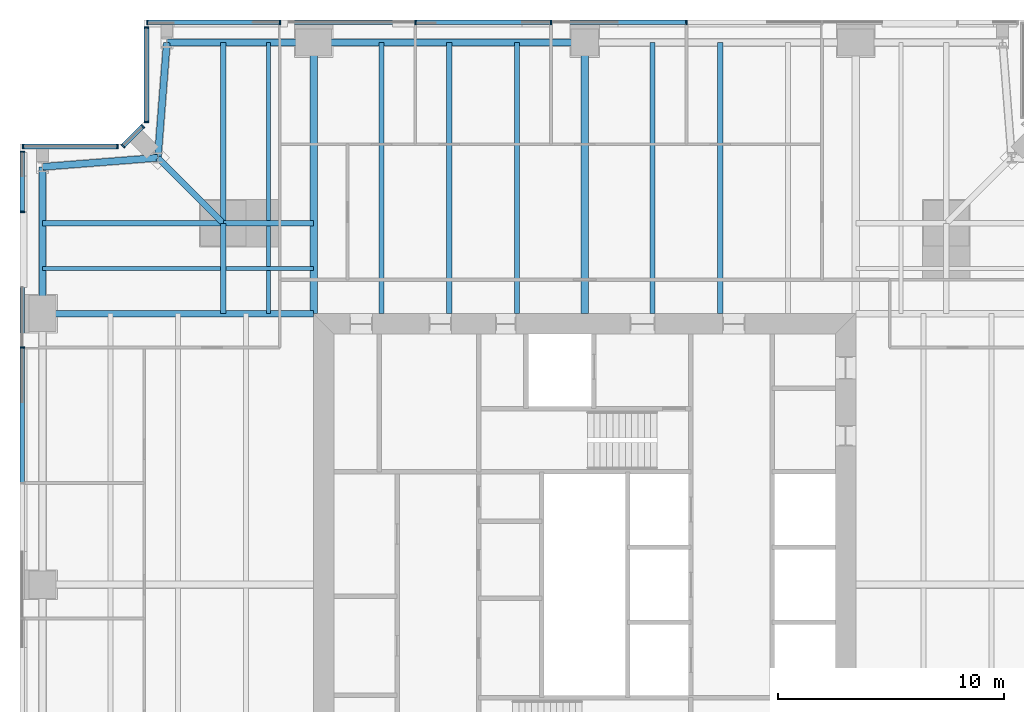
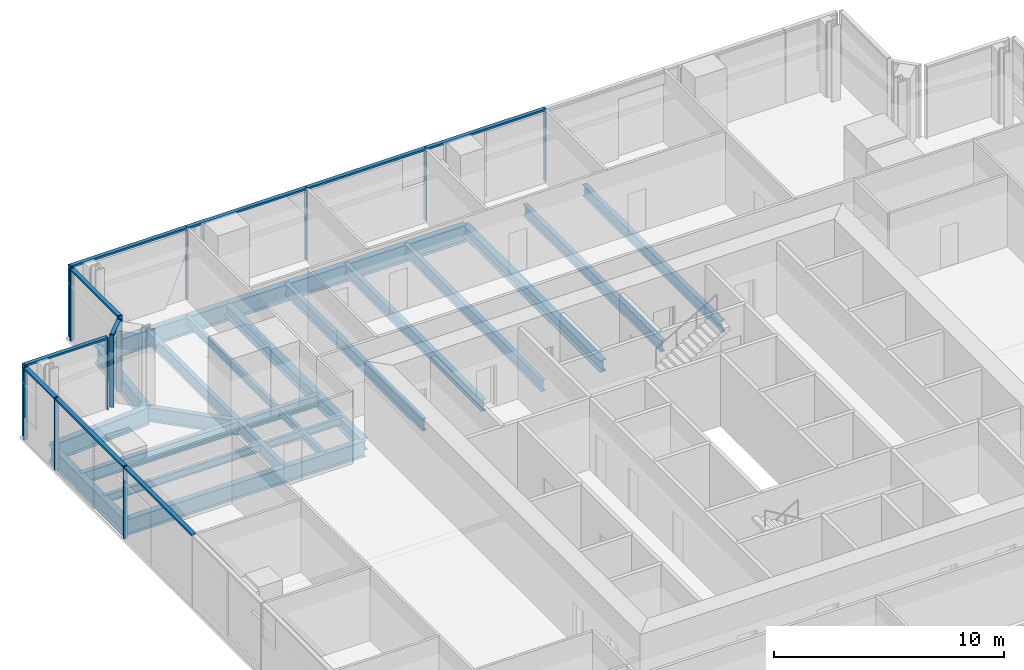
# One storey, part 6 of 14: 24 members, 23 beams, 5 elements without a shape of their own.
"""IFC4 building model written with IfcOpenShell, lengths in metres."""

from ifc_helpers import new_model, si_unit, direction, frame, origin, origin_2d, place, context, subcontext, project, spatial, rectangle, i_section, extrude, material, material_profile, profile_set, type_object, element, aggregate, save


model = new_model("IFC4")

# Units and contexts
model_context = context("Model", 3, precision=1e-05, world=origin(), true_north=direction((0.0, 1.0)))
body_context = subcontext(model_context, "Body", "Model", "MODEL_VIEW")
ifc_project = project(units=[si_unit("LENGTHUNIT", "METRE"), si_unit("AREAUNIT", "SQUARE_METRE"), si_unit("VOLUMEUNIT", "CUBIC_METRE"), si_unit("PLANEANGLEUNIT", "RADIAN"), si_unit("MASSUNIT", "GRAM", prefix="KILO")], contexts=[model_context])

# Site, building, storey
site_placement = place(None, origin())
site = spatial("IfcSite", under=ifc_project, at=site_placement, CompositionType="ELEMENT")
building_placement = place(site_placement, origin())
building = spatial("IfcBuilding", under=site, at=building_placement, Name="Fenwick Lantern Interchange", CompositionType="ELEMENT")
storey_placement = place(building_placement, frame((0.0, 0.0, 189.800048828125)))
storey = spatial("IfcBuildingStorey", under=building, at=storey_placement, Name="L44", CompositionType="ELEMENT", Elevation=189.800048828125)

# Beams
ifc_material_1 = material(Name="Steel ASTM A992 Grade 50", Category="steel")
ifc_material_profile_1 = material_profile(ifc_material_1, i_section(OverallWidth=0.3046875, OverallDepth=0.911865234375, WebThickness=0.015869140625, FlangeThickness=0.02392578125, at=origin_2d()), Name="W36X150")
ifc_profile_set_1 = profile_set([ifc_material_profile_1], Name="Steel ASTM A992 Grade 50")
beam_type_1 = type_object("IfcBeamType", Name="EDGE BEAM W36X150", PredefinedType="SPANDREL", material=ifc_profile_set_1)
beam_1_placement = place(storey_placement, frame((25.0, 49.0, -0.60595703125), z_axis=(-1.0, 0.0, 0.0), x_axis=(0.0, -1.0, 0.0)))
element("IfcBeam", 1, at=beam_1_placement, inside=storey, type_object=beam_type_1, Name="L44/FR/N/EB3", PredefinedType="SPANDREL", context=body_context, shape_type="SweptSolid", body=[
    extrude(i_section(OverallWidth=0.3046875, OverallDepth=0.911865234375, WebThickness=0.015869140625, FlangeThickness=0.02392578125, at=origin_2d()), origin(), (0.0, 0.0, 1.0), 12.0),
])
beam_2_placement = place(storey_placement, frame((13.0, 49.0, -0.60595703125), z_axis=(-1.0, 0.0, 0.0), x_axis=(0.0, -1.0, 0.0)))
element("IfcBeam", 2, at=beam_2_placement, inside=storey, type_object=beam_type_1, Name="L44/FR/N/EB4", PredefinedType="SPANDREL", context=body_context, shape_type="SweptSolid", body=[
    extrude(i_section(OverallWidth=0.3046875, OverallDepth=0.911865234375, WebThickness=0.015869140625, FlangeThickness=0.02392578125, at=origin_2d()), origin(), (0.0, 0.0, 1.0), 6.5),
])
for number, where, z_axis, x_axis, name in (
    (3, (6.5, 49.0, -0.60595703125), (-0.078170784639, -0.99693998236, 0.0), (0.99693998236, -0.078170784639, 0.0), "L44/FR/N/EBR1"),
    (4, (6.10009765625, 43.89990234375, -0.60595703125), (-0.99693998236, -0.078170784639, 0.0), (0.078170784639, -0.99693998236, 0.0), "L44/FR/N/EBR2"),
):
    element("IfcBeam", number, at=place(storey_placement, frame(where, z_axis=z_axis, x_axis=x_axis)), inside=storey, type_object=beam_type_1, Name=name, PredefinedType="SPANDREL", context=body_context, shape_type="SweptSolid", body=[
        extrude(i_section(OverallWidth=0.3046875, OverallDepth=0.911865234375, WebThickness=0.015869140625, FlangeThickness=0.02392578125, at=origin_2d()), origin(), (0.0, 0.0, 1.0), 5.11572265625),
    ])
beam_3_placement = place(storey_placement, frame((1.0, 43.5, -0.60595703125), z_axis=(0.0, -1.0, 0.0), x_axis=(1.0, 0.0, 0.0)))
element("IfcBeam", 5, at=beam_3_placement, inside=storey, type_object=beam_type_1, Name="L44/FR/W/EB1", PredefinedType="SPANDREL", context=body_context, shape_type="SweptSolid", body=[
    extrude(i_section(OverallWidth=0.3046875, OverallDepth=0.911865234375, WebThickness=0.015869140625, FlangeThickness=0.02392578125, at=origin_2d()), origin(), (0.0, 0.0, 1.0), 6.5),
])
ifc_material_profile_2 = material_profile(ifc_material_1, i_section(OverallWidth=0.22900390625, OverallDepth=0.612060546875, WebThickness=0.011962890625, FlangeThickness=0.01953125, at=origin_2d()), Name="W24X84")
ifc_profile_set_2 = profile_set([ifc_material_profile_2], Name="Steel ASTM A992 Grade 50")
beam_type_2 = type_object("IfcBeamType", Name="FLOOR BEAM W24X84", PredefinedType="BEAM", material=ifc_profile_set_2)
for number, where, z_axis, x_axis, name in (
    (6, (31.0, 49.0, -0.4560546875), (0.0, -1.0, 0.0), (1.0, 0.0, 0.0), "L44/FR/N/R03"),
    (7, (28.0, 49.0, -0.4560546875), (0.0, -1.0, 0.0), (1.0, 0.0, 0.0), "L44/FR/N/R04"),
    (8, (22.0, 49.0, -0.4560546875), (0.0, -1.0, 0.0), (1.0, 0.0, 0.0), "L44/FR/N/R06"),
    (9, (19.0, 49.0, -0.4560546875), (0.0, -1.0, 0.0), (1.0, 0.0, 0.0), "L44/FR/N/R07"),
    (10, (16.0, 49.0, -0.4560546875), (0.0, -1.0, 0.0), (1.0, 0.0, 0.0), "L44/FR/N/R08"),
):
    element("IfcBeam", number, at=place(storey_placement, frame(where, z_axis=z_axis, x_axis=x_axis)), inside=storey, type_object=beam_type_2, Name=name, PredefinedType="BEAM", context=body_context, shape_type="SweptSolid", body=[
        extrude(i_section(OverallWidth=0.22900390625, OverallDepth=0.612060546875, WebThickness=0.011962890625, FlangeThickness=0.01953125, at=origin_2d()), origin(), (0.0, 0.0, 1.0), 12.0),
    ])
ifc_material_profile_3 = material_profile(ifc_material_1, i_section(OverallWidth=0.177734375, OverallDepth=0.406494140625, WebThickness=0.0078125, FlangeThickness=0.012939453125, at=origin_2d()), Name="W16X40")
ifc_profile_set_3 = profile_set([ifc_material_profile_3], Name="Steel ASTM A992 Grade 50")
beam_type_3 = type_object("IfcBeamType", Name="INFILL BEAM W16X40", PredefinedType="JOIST", material=ifc_profile_set_3)
beam_4_placement = place(storey_placement, frame((1.0, 39.0, -0.353271484375), z_axis=(1.0, 0.0, 0.0), x_axis=(0.0, 1.0, 0.0)))
element("IfcBeam", 11, at=beam_4_placement, inside=storey, type_object=beam_type_3, Name="L44/FR/W/J1", PredefinedType="JOIST", context=body_context, shape_type="SweptSolid", body=[
    extrude(i_section(OverallWidth=0.177734375, OverallDepth=0.406494140625, WebThickness=0.0078125, FlangeThickness=0.012939453125, at=origin_2d()), origin(), (0.0, 0.0, 1.0), 7.885498046875),
])
beam_5_placement = place(storey_placement, frame((9.114501953125, 39.0, -0.353271484375), z_axis=(1.0, 0.0, 0.0), x_axis=(0.0, 1.0, 0.0)))
element("IfcBeam", 12, at=beam_5_placement, inside=storey, type_object=beam_type_3, Name="L44/FR/W/J2", PredefinedType="JOIST", context=body_context, shape_type="SweptSolid", body=[
    extrude(i_section(OverallWidth=0.177734375, OverallDepth=0.406494140625, WebThickness=0.0078125, FlangeThickness=0.012939453125, at=origin_2d()), origin(), (0.0, 0.0, 1.0), 3.885498046875),
])
beam_6_placement = place(storey_placement, frame((11.0, 49.0, -0.353271484375), z_axis=(0.0, -1.0, 0.0), x_axis=(1.0, 0.0, 0.0)))
element("IfcBeam", 13, at=beam_6_placement, inside=storey, type_object=beam_type_3, Name="L44/FR/W/J3", PredefinedType="JOIST", context=body_context, shape_type="SweptSolid", body=[
    extrude(i_section(OverallWidth=0.177734375, OverallDepth=0.406494140625, WebThickness=0.0078125, FlangeThickness=0.012939453125, at=origin_2d()), origin(), (0.0, 0.0, 1.0), 7.885498046875),
])
beam_7_placement = place(storey_placement, frame((11.0, 40.885498046875, -0.353271484375), z_axis=(0.0, -1.0, 0.0), x_axis=(1.0, 0.0, 0.0)))
element("IfcBeam", 14, at=beam_7_placement, inside=storey, type_object=beam_type_3, Name="L44/FR/W/J4", PredefinedType="JOIST", context=body_context, shape_type="SweptSolid", body=[
    extrude(i_section(OverallWidth=0.177734375, OverallDepth=0.406494140625, WebThickness=0.0078125, FlangeThickness=0.012939453125, at=origin_2d()), origin(), (0.0, 0.0, 1.0), 1.796630859375),
])
beam_8_placement = place(storey_placement, frame((11.0, 38.9111328125, -0.353271484375), z_axis=(0.0, -1.0, 0.0), x_axis=(1.0, 0.0, 0.0)))
element("IfcBeam", 15, at=beam_8_placement, inside=storey, type_object=beam_type_3, Name="L44/FR/W/J5", PredefinedType="JOIST", context=body_context, shape_type="SweptSolid", body=[
    extrude(i_section(OverallWidth=0.177734375, OverallDepth=0.406494140625, WebThickness=0.0078125, FlangeThickness=0.012939453125, at=origin_2d()), origin(), (0.0, 0.0, 1.0), 1.9111328125),
])
ifc_material_profile_4 = material_profile(ifc_material_1, i_section(OverallWidth=0.22900390625, OverallDepth=0.612060546875, WebThickness=0.011962890625, FlangeThickness=0.01953125, at=origin_2d()), Name="W24X84")
ifc_profile_set_4 = profile_set([ifc_material_profile_4], Name="Steel ASTM A992 Grade 50")
beam_type_4 = type_object("IfcBeamType", Name="MEGA COLUMN BEAM W24X84", PredefinedType="BEAM", material=ifc_profile_set_4)
for number, where, z_axis, x_axis, name in (
    (16, (9.0, 41.0, -0.4560546875), (-1.0, 0.0, 0.0), (0.0, -1.0, 0.0), "L44/FR/W/MB1"),
    (17, (9.0, 41.0, -0.4560546875), (0.0, 1.0, 0.0), (-1.0, 0.0, 0.0), "L44/FR/W/MB2"),
):
    element("IfcBeam", number, at=place(storey_placement, frame(where, z_axis=z_axis, x_axis=x_axis)), inside=storey, type_object=beam_type_4, Name=name, PredefinedType="BEAM", context=body_context, shape_type="SweptSolid", body=[
        extrude(i_section(OverallWidth=0.22900390625, OverallDepth=0.612060546875, WebThickness=0.011962890625, FlangeThickness=0.01953125, at=origin_2d()), origin(), (0.0, 0.0, 1.0), 8.0),
    ])
for number, where, z_axis, x_axis, name in (
    (18, (9.0, 41.0, -0.4560546875), (0.0, -1.0, 0.0), (1.0, 0.0, 0.0), "L44/FR/W/MB3"),
    (19, (9.0, 41.0, -0.4560546875), (1.0, 0.0, 0.0), (0.0, 1.0, 0.0), "L44/FR/W/MB4"),
):
    element("IfcBeam", number, at=place(storey_placement, frame(where, z_axis=z_axis, x_axis=x_axis)), inside=storey, type_object=beam_type_4, Name=name, PredefinedType="BEAM", context=body_context, shape_type="SweptSolid", body=[
        extrude(i_section(OverallWidth=0.22900390625, OverallDepth=0.612060546875, WebThickness=0.011962890625, FlangeThickness=0.01953125, at=origin_2d()), origin(), (0.0, 0.0, 1.0), 4.0),
    ])
ifc_material_profile_5 = material_profile(ifc_material_1, i_section(OverallWidth=0.32763671875, OverallDepth=0.622314453125, WebThickness=0.015380859375, FlangeThickness=0.0244140625, at=origin_2d()), Name="W24X131")
ifc_profile_set_5 = profile_set([ifc_material_profile_5], Name="Steel ASTM A992 Grade 50")
beam_type_5 = type_object("IfcBeamType", Name="MOMENT-CONNECTED GIRDER W24X131", PredefinedType="BEAM", material=ifc_profile_set_5)
for number, where, z_axis, x_axis, name in (
    (20, (25.0, 49.0, -0.461181640625), (0.0, -1.0, 0.0), (1.0, 0.0, 0.0), "L44/FR/N/R05"),
    (21, (13.0, 49.0, -0.461181640625), (0.0, -1.0, 0.0), (1.0, 0.0, 0.0), "L44/FR/N/R09"),
):
    element("IfcBeam", number, at=place(storey_placement, frame(where, z_axis=z_axis, x_axis=x_axis)), inside=storey, type_object=beam_type_5, Name=name, PredefinedType="BEAM", context=body_context, shape_type="SweptSolid", body=[
        extrude(i_section(OverallWidth=0.32763671875, OverallDepth=0.622314453125, WebThickness=0.015380859375, FlangeThickness=0.0244140625, at=origin_2d()), origin(), (0.0, 0.0, 1.0), 12.0),
    ])
ifc_material_profile_6 = material_profile(ifc_material_1, i_section(OverallWidth=0.2919921875, OverallDepth=0.845703125, WebThickness=0.015380859375, FlangeThickness=0.0244140625, at=origin_2d()), Name="W33X141")
ifc_profile_set_6 = profile_set([ifc_material_profile_6], Name="Steel ASTM A992 Grade 50")
beam_type_6 = type_object("IfcBeamType", Name="MOMENT-CONNECTED GIRDER W33X141", PredefinedType="BEAM", material=ifc_profile_set_6)
beam_9_placement = place(storey_placement, frame((1.0, 37.0, -0.572998046875), z_axis=(1.0, 0.0, 0.0), x_axis=(0.0, 1.0, 0.0)))
element("IfcBeam", 22, at=beam_9_placement, inside=storey, type_object=beam_type_6, Name="L44/FR/W/R01", PredefinedType="BEAM", context=body_context, shape_type="SweptSolid", body=[
    extrude(i_section(OverallWidth=0.2919921875, OverallDepth=0.845703125, WebThickness=0.015380859375, FlangeThickness=0.0244140625, at=origin_2d()), origin(), (0.0, 0.0, 1.0), 12.0),
])
ifc_material_profile_7 = material_profile(ifc_material_1, i_section(OverallWidth=0.2666015625, OverallDepth=0.7568359375, WebThickness=0.013916015625, FlangeThickness=0.019287109375, at=origin_2d()), Name="W30X108")
ifc_profile_set_7 = profile_set([ifc_material_profile_7], Name="Steel ASTM A992 Grade 50")
beam_type_7 = type_object("IfcBeamType", Name="NOTCH BEAM W30X108", PredefinedType="BEAM", material=ifc_profile_set_7)
beam_10_placement = place(storey_placement, frame((9.0, 41.0, -0.528564453125), z_axis=(-0.707106781187, 0.707106781187, 0.0), x_axis=(-0.707106781187, -0.707106781187, 0.0)))
element("IfcBeam", 23, at=beam_10_placement, inside=storey, type_object=beam_type_7, Name="L44/FR/W/TG", PredefinedType="BEAM", context=body_context, shape_type="SweptSolid", body=[
    extrude(i_section(OverallWidth=0.2666015625, OverallDepth=0.7568359375, WebThickness=0.013916015625, FlangeThickness=0.019287109375, at=origin_2d()), origin(), (0.0, 0.0, 1.0), 4.10107421875),
])

# Curtain wall, members
ifc_material_2 = material(Name="Aluminium curtain wall frame", Category="aluminium")
curtain_wall_type = type_object("IfcCurtainWallType", Name="OFFICE CURTAIN WALL", PredefinedType="USERDEFINED", material=ifc_material_2)
curtain_wall_1_placement = place(storey_placement, origin())
curtain_wall_1 = element("IfcCurtainWall", 24, at=curtain_wall_1_placement, inside=storey, type_object=curtain_wall_type, Name="Office curtain wall 09", ObjectType="OFFICE CURTAIN WALL", PredefinedType="USERDEFINED")
ifc_material_3 = material(Name="Aluminium extrusion", Category="aluminium")
ifc_material_profile_8 = material_profile(ifc_material_3, rectangle(XDim=0.199951171875, YDim=0.06494140625, at=origin_2d()), Name="OFFICE CURTAIN WALL MULLION 65 X 200")
ifc_profile_set_8 = profile_set([ifc_material_profile_8], Name="Aluminium extrusion")
member_type_1 = type_object("IfcMemberType", Name="OFFICE CURTAIN WALL MULLION 65 X 200", PredefinedType="MULLION", material=ifc_profile_set_8)
member_1_placement = place(storey_placement, frame((29.5, 49.89990234375, 0.0), z_axis=(0.0, 0.0, 1.0), x_axis=(0.0, -1.0, 0.0)))
member_1 = element("IfcMember", 25, at=member_1_placement, type_object=member_type_1, Name="L44/CW/09/M03", PredefinedType="MULLION", context=body_context, shape_type="SweptSolid", body=[
    extrude(rectangle(XDim=0.199951171875, YDim=0.06494140625, at=origin_2d()), origin(), (0.0, 0.0, 1.0), 3.849853515625),
])
member_2_placement = place(storey_placement, frame((23.5, 49.89990234375, 0.0), z_axis=(0.0, 0.0, 1.0), x_axis=(0.0, -1.0, 0.0)))
member_2 = element("IfcMember", 26, at=member_2_placement, type_object=member_type_1, Name="L44/CW/09/M04", PredefinedType="MULLION", context=body_context, shape_type="SweptSolid", body=[
    extrude(rectangle(XDim=0.199951171875, YDim=0.06494140625, at=origin_2d()), origin(), (0.0, 0.0, 1.0), 3.849853515625),
])
member_3_placement = place(storey_placement, frame((17.5, 49.89990234375, 0.0), z_axis=(0.0, 0.0, 1.0), x_axis=(0.0, -1.0, 0.0)))
member_3 = element("IfcMember", 27, at=member_3_placement, type_object=member_type_1, Name="L44/CW/09/M05", PredefinedType="MULLION", context=body_context, shape_type="SweptSolid", body=[
    extrude(rectangle(XDim=0.199951171875, YDim=0.06494140625, at=origin_2d()), origin(), (0.0, 0.0, 1.0), 3.849853515625),
])
member_4_placement = place(storey_placement, frame((11.5, 49.89990234375, 0.0), z_axis=(0.0, 0.0, 1.0), x_axis=(0.0, -1.0, 0.0)))
member_4 = element("IfcMember", 28, at=member_4_placement, type_object=member_type_1, Name="L44/CW/09/M06", PredefinedType="MULLION", context=body_context, shape_type="SweptSolid", body=[
    extrude(rectangle(XDim=0.199951171875, YDim=0.06494140625, at=origin_2d()), origin(), (0.0, 0.0, 1.0), 3.849853515625),
])
member_5_placement = place(storey_placement, frame((5.632568359375, 49.89990234375, 0.0), z_axis=(0.0, 0.0, 1.0), x_axis=(0.0, -1.0, 0.0)))
member_5 = element("IfcMember", 29, at=member_5_placement, type_object=member_type_1, Name="L44/CW/09/M07", PredefinedType="MULLION", context=body_context, shape_type="SweptSolid", body=[
    extrude(rectangle(XDim=0.199951171875, YDim=0.06494140625, at=origin_2d()), origin(), (0.0, 0.0, 1.0), 3.849853515625),
])

curtain_wall_2_placement = place(storey_placement, origin())
curtain_wall_2 = element("IfcCurtainWall", 30, at=curtain_wall_2_placement, inside=storey, type_object=curtain_wall_type, Name="Office curtain wall 10", ObjectType="OFFICE CURTAIN WALL", PredefinedType="USERDEFINED")
member_6_placement = place(storey_placement, frame((5.60009765625, 49.66748046875, 0.0), z_axis=(0.0, 0.0, 1.0), x_axis=(1.0, 0.0, 0.0)))
member_6 = element("IfcMember", 31, at=member_6_placement, type_object=member_type_1, Name="L44/CW/10/M00", PredefinedType="MULLION", context=body_context, shape_type="SweptSolid", body=[
    extrude(rectangle(XDim=0.199951171875, YDim=0.06494140625, at=origin_2d()), origin(), (0.0, 0.0, 1.0), 3.849853515625),
])
member_7_placement = place(storey_placement, frame((5.60009765625, 45.490966796875, 0.0), z_axis=(0.0, 0.0, 1.0), x_axis=(1.0, 0.0, 0.0)))
member_7 = element("IfcMember", 32, at=member_7_placement, type_object=member_type_1, Name="L44/CW/10/M01", PredefinedType="MULLION", context=body_context, shape_type="SweptSolid", body=[
    extrude(rectangle(XDim=0.199951171875, YDim=0.06494140625, at=origin_2d()), origin(), (0.0, 0.0, 1.0), 3.849853515625),
])

curtain_wall_3_placement = place(storey_placement, origin())
curtain_wall_3 = element("IfcCurtainWall", 33, at=curtain_wall_3_placement, inside=storey, type_object=curtain_wall_type, Name="Office curtain wall 11", ObjectType="OFFICE CURTAIN WALL", PredefinedType="USERDEFINED")
member_8_placement = place(storey_placement, frame((5.435546875, 45.294189453125, 0.0), z_axis=(0.0, 0.0, 1.0), x_axis=(0.707106781187, -0.707106781187, 0.0)))
member_8 = element("IfcMember", 34, at=member_8_placement, type_object=member_type_1, Name="L44/CW/11/M00", PredefinedType="MULLION", context=body_context, shape_type="SweptSolid", body=[
    extrude(rectangle(XDim=0.199951171875, YDim=0.06494140625, at=origin_2d()), origin(), (0.0, 0.0, 1.0), 3.849853515625),
])
member_9_placement = place(storey_placement, frame((4.564453125, 44.423095703125, 0.0), z_axis=(0.0, 0.0, 1.0), x_axis=(0.707106781187, -0.707106781187, 0.0)))
member_9 = element("IfcMember", 35, at=member_9_placement, type_object=member_type_1, Name="L44/CW/11/M01", PredefinedType="MULLION", context=body_context, shape_type="SweptSolid", body=[
    extrude(rectangle(XDim=0.199951171875, YDim=0.06494140625, at=origin_2d()), origin(), (0.0, 0.0, 1.0), 3.849853515625),
])

curtain_wall_4_placement = place(storey_placement, origin())
curtain_wall_4 = element("IfcCurtainWall", 36, at=curtain_wall_4_placement, inside=storey, type_object=curtain_wall_type, Name="Office curtain wall 12", ObjectType="OFFICE CURTAIN WALL", PredefinedType="USERDEFINED")
member_10_placement = place(storey_placement, frame((4.308837890625, 44.39990234375, 0.0), z_axis=(0.0, 0.0, 1.0), x_axis=(0.0, -1.0, 0.0)))
member_10 = element("IfcMember", 37, at=member_10_placement, type_object=member_type_1, Name="L44/CW/12/M00", PredefinedType="MULLION", context=body_context, shape_type="SweptSolid", body=[
    extrude(rectangle(XDim=0.199951171875, YDim=0.06494140625, at=origin_2d()), origin(), (0.0, 0.0, 1.0), 3.849853515625),
])
member_11_placement = place(storey_placement, frame((0.132568359375, 44.39990234375, 0.0), z_axis=(0.0, 0.0, 1.0), x_axis=(0.0, -1.0, 0.0)))
member_11 = element("IfcMember", 38, at=member_11_placement, type_object=member_type_1, Name="L44/CW/12/M01", PredefinedType="MULLION", context=body_context, shape_type="SweptSolid", body=[
    extrude(rectangle(XDim=0.199951171875, YDim=0.06494140625, at=origin_2d()), origin(), (0.0, 0.0, 1.0), 3.849853515625),
])

curtain_wall_5_placement = place(storey_placement, origin())
curtain_wall_5 = element("IfcCurtainWall", 39, at=curtain_wall_5_placement, inside=storey, type_object=curtain_wall_type, Name="Office curtain wall 13", ObjectType="OFFICE CURTAIN WALL", PredefinedType="USERDEFINED")
member_12_placement = place(storey_placement, frame((0.10009765625, 44.16748046875, 0.0), z_axis=(0.0, 0.0, 1.0), x_axis=(1.0, 0.0, 0.0)))
member_12 = element("IfcMember", 40, at=member_12_placement, type_object=member_type_1, Name="L44/CW/13/M00", PredefinedType="MULLION", context=body_context, shape_type="SweptSolid", body=[
    extrude(rectangle(XDim=0.199951171875, YDim=0.06494140625, at=origin_2d()), origin(), (0.0, 0.0, 1.0), 3.849853515625),
])
member_13_placement = place(storey_placement, frame((0.10009765625, 41.5, 0.0), z_axis=(0.0, 0.0, 1.0), x_axis=(1.0, 0.0, 0.0)))
member_13 = element("IfcMember", 41, at=member_13_placement, type_object=member_type_1, Name="L44/CW/13/M01", PredefinedType="MULLION", context=body_context, shape_type="SweptSolid", body=[
    extrude(rectangle(XDim=0.199951171875, YDim=0.06494140625, at=origin_2d()), origin(), (0.0, 0.0, 1.0), 3.849853515625),
])
member_14_placement = place(storey_placement, frame((0.10009765625, 35.5, 0.0), z_axis=(0.0, 0.0, 1.0), x_axis=(1.0, 0.0, 0.0)))
member_14 = element("IfcMember", 42, at=member_14_placement, type_object=member_type_1, Name="L44/CW/13/M02", PredefinedType="MULLION", context=body_context, shape_type="SweptSolid", body=[
    extrude(rectangle(XDim=0.199951171875, YDim=0.06494140625, at=origin_2d()), origin(), (0.0, 0.0, 1.0), 3.849853515625),
])

# Member
ifc_material_profile_9 = material_profile(ifc_material_3, rectangle(XDim=0.199951171875, YDim=0.10009765625, at=origin_2d()), Name="OFFICE CURTAIN WALL TRANSOM 100 X 200")
ifc_profile_set_9 = profile_set([ifc_material_profile_9], Name="Aluminium extrusion")
member_type_2 = type_object("IfcMemberType", Name="OFFICE CURTAIN WALL TRANSOM 100 X 200", PredefinedType="MULLION", material=ifc_profile_set_9)
member_15_placement = place(storey_placement, frame((29.467529296875, 49.89990234375, 3.800048828125), z_axis=(-1.0, 0.0, 0.0), x_axis=(0.0, -1.0, 0.0)))
member_15 = element("IfcMember", 43, at=member_15_placement, type_object=member_type_2, Name="L44/CW/09/T03", PredefinedType="MULLION", context=body_context, shape_type="SweptSolid", body=[
    extrude(rectangle(XDim=0.199951171875, YDim=0.10009765625, at=origin_2d()), origin(), (0.0, 0.0, 1.0), 5.93505859375),
])

member_16_placement = place(storey_placement, frame((23.467529296875, 49.89990234375, 3.800048828125), z_axis=(-1.0, 0.0, 0.0), x_axis=(0.0, -1.0, 0.0)))
member_16 = element("IfcMember", 44, at=member_16_placement, type_object=member_type_2, Name="L44/CW/09/T04", PredefinedType="MULLION", context=body_context, shape_type="SweptSolid", body=[
    extrude(rectangle(XDim=0.199951171875, YDim=0.10009765625, at=origin_2d()), origin(), (0.0, 0.0, 1.0), 5.93505859375),
])

member_17_placement = place(storey_placement, frame((17.467529296875, 49.89990234375, 3.800048828125), z_axis=(-1.0, 0.0, 0.0), x_axis=(0.0, -1.0, 0.0)))
member_17 = element("IfcMember", 45, at=member_17_placement, type_object=member_type_2, Name="L44/CW/09/T05", PredefinedType="MULLION", context=body_context, shape_type="SweptSolid", body=[
    extrude(rectangle(XDim=0.199951171875, YDim=0.10009765625, at=origin_2d()), origin(), (0.0, 0.0, 1.0), 5.93505859375),
])

member_18_placement = place(storey_placement, frame((11.467529296875, 49.89990234375, 3.800048828125), z_axis=(-1.0, 0.0, 0.0), x_axis=(0.0, -1.0, 0.0)))
member_18 = element("IfcMember", 46, at=member_18_placement, type_object=member_type_2, Name="L44/CW/09/T06", PredefinedType="MULLION", context=body_context, shape_type="SweptSolid", body=[
    extrude(rectangle(XDim=0.199951171875, YDim=0.10009765625, at=origin_2d()), origin(), (0.0, 0.0, 1.0), 5.802490234375),
])

aggregate(curtain_wall_1, [member_1, member_2, member_3, member_4, member_5, member_15, member_16, member_17, member_18])

member_19_placement = place(storey_placement, frame((5.60009765625, 49.635009765625, 3.800048828125), z_axis=(0.0, -1.0, 0.0), x_axis=(1.0, 0.0, 0.0)))
member_19 = element("IfcMember", 47, at=member_19_placement, type_object=member_type_2, Name="L44/CW/10/T00", PredefinedType="MULLION", context=body_context, shape_type="SweptSolid", body=[
    extrude(rectangle(XDim=0.199951171875, YDim=0.10009765625, at=origin_2d()), origin(), (0.0, 0.0, 1.0), 4.111328125),
])

aggregate(curtain_wall_2, [member_6, member_7, member_19])

member_20_placement = place(storey_placement, frame((5.41259765625, 45.271240234375, 3.800048828125), z_axis=(-0.707106781187, -0.707106781187, 0.0), x_axis=(0.707106781187, -0.707106781187, 0.0)))
member_20 = element("IfcMember", 48, at=member_20_placement, type_object=member_type_2, Name="L44/CW/11/T00", PredefinedType="MULLION", context=body_context, shape_type="SweptSolid", body=[
    extrude(rectangle(XDim=0.199951171875, YDim=0.10009765625, at=origin_2d()), origin(), (0.0, 0.0, 1.0), 1.1669921875),
])

aggregate(curtain_wall_3, [member_8, member_9, member_20])

member_21_placement = place(storey_placement, frame((4.2763671875, 44.39990234375, 3.800048828125), z_axis=(-1.0, 0.0, 0.0), x_axis=(0.0, -1.0, 0.0)))
member_21 = element("IfcMember", 49, at=member_21_placement, type_object=member_type_2, Name="L44/CW/12/T00", PredefinedType="MULLION", context=body_context, shape_type="SweptSolid", body=[
    extrude(rectangle(XDim=0.199951171875, YDim=0.10009765625, at=origin_2d()), origin(), (0.0, 0.0, 1.0), 4.111328125),
])

aggregate(curtain_wall_4, [member_10, member_11, member_21])

member_22_placement = place(storey_placement, frame((0.10009765625, 44.135009765625, 3.800048828125), z_axis=(0.0, -1.0, 0.0), x_axis=(1.0, 0.0, 0.0)))
member_22 = element("IfcMember", 50, at=member_22_placement, type_object=member_type_2, Name="L44/CW/13/T00", PredefinedType="MULLION", context=body_context, shape_type="SweptSolid", body=[
    extrude(rectangle(XDim=0.199951171875, YDim=0.10009765625, at=origin_2d()), origin(), (0.0, 0.0, 1.0), 2.6025390625),
])

member_23_placement = place(storey_placement, frame((0.10009765625, 41.467529296875, 3.800048828125), z_axis=(0.0, -1.0, 0.0), x_axis=(1.0, 0.0, 0.0)))
member_23 = element("IfcMember", 51, at=member_23_placement, type_object=member_type_2, Name="L44/CW/13/T01", PredefinedType="MULLION", context=body_context, shape_type="SweptSolid", body=[
    extrude(rectangle(XDim=0.199951171875, YDim=0.10009765625, at=origin_2d()), origin(), (0.0, 0.0, 1.0), 5.93505859375),
])

member_24_placement = place(storey_placement, frame((0.10009765625, 35.467529296875, 3.800048828125), z_axis=(0.0, -1.0, 0.0), x_axis=(1.0, 0.0, 0.0)))
member_24 = element("IfcMember", 52, at=member_24_placement, type_object=member_type_2, Name="L44/CW/13/T02", PredefinedType="MULLION", context=body_context, shape_type="SweptSolid", body=[
    extrude(rectangle(XDim=0.199951171875, YDim=0.10009765625, at=origin_2d()), origin(), (0.0, 0.0, 1.0), 5.93505859375),
])

aggregate(curtain_wall_5, [member_12, member_13, member_14, member_22, member_23, member_24])

save(model, "model.ifc")
